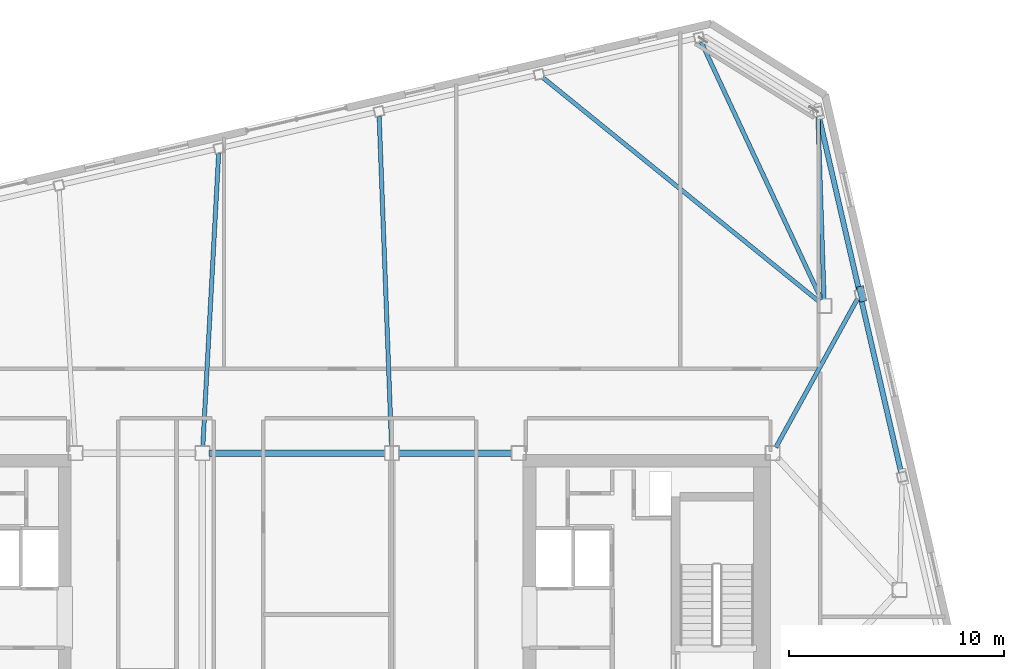
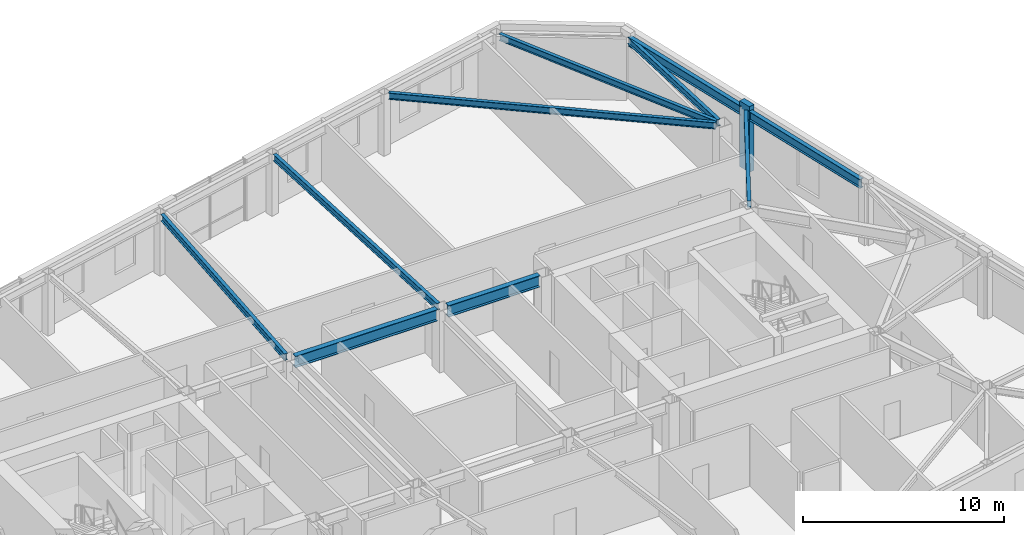
# One storey, part 13 of 23: 10 beams, 1 member.
"""IFC4 building model written with IfcOpenShell, lengths in metres."""

from ifc_helpers import new_model, si_unit, direction, frame, origin, origin_2d, place, context, subcontext, project, spatial, rectangle, i_section, extrude, material, material_profile, profile_set, type_object, element, save


model = new_model("IFC4")

# Units and contexts
model_context = context("Model", 3, precision=1e-05, world=origin(), true_north=direction((0.0, 1.0)))
body_context = subcontext(model_context, "Body", "Model", "MODEL_VIEW")
ifc_project = project(units=[si_unit("LENGTHUNIT", "METRE"), si_unit("AREAUNIT", "SQUARE_METRE"), si_unit("VOLUMEUNIT", "CUBIC_METRE"), si_unit("PLANEANGLEUNIT", "RADIAN"), si_unit("MASSUNIT", "GRAM", prefix="KILO")], contexts=[model_context])

# Site, building, storey
site_placement = place(None, origin())
site = spatial("IfcSite", under=ifc_project, at=site_placement, CompositionType="ELEMENT")
building_placement = place(site_placement, origin())
building = spatial("IfcBuilding", under=site, at=building_placement, Name="Tavrogorsk Clinical Tower", CompositionType="ELEMENT")
storey_placement = place(building_placement, frame((0.0, 0.0, 301.0)))
storey = spatial("IfcBuildingStorey", under=building, at=storey_placement, Name="L70", CompositionType="ELEMENT", Elevation=301.0)

# Beams
ifc_material_1 = material(Name="Structural steel S355", Category="steel")
ifc_material_profile_1 = material_profile(ifc_material_1, i_section(OverallWidth=0.199951171875, OverallDepth=0.39990234375, WebThickness=0.010498046875, FlangeThickness=0.01611328125, at=origin_2d()), Name="B-400x200x10.5x16")
ifc_profile_set_1 = profile_set([ifc_material_profile_1], Name="Structural steel S355")
beam_type_1 = type_object("IfcBeamType", Name="FloorBeam_B400", PredefinedType="BEAM", material=ifc_profile_set_1)
beam_1_placement = place(storey_placement, frame((24.368896484375, 13.48095703125, 3.5400390625), z_axis=(-0.422928957087, 0.906162842571, 0.0), x_axis=(-0.906162842571, -0.422928957087, 0.0)))
element("IfcBeam", 1, at=beam_1_placement, inside=storey, type_object=beam_type_1, Name="L70 Radial Floor Beam N1", PredefinedType="BEAM", context=body_context, shape_type="SweptSolid", body=[
    extrude(i_section(OverallWidth=0.199951171875, OverallDepth=0.39990234375, WebThickness=0.010498046875, FlangeThickness=0.01611328125, at=origin_2d()), origin(), (0.0, 0.0, 1.0), 13.214111328125),
])
beam_2_placement = place(storey_placement, frame((24.25927734375, 13.395263671875, 3.5400390625), z_axis=(-0.77675399059, 0.629804126774, 0.0), x_axis=(-0.629804126774, -0.77675399059, 0.0)))
element("IfcBeam", 2, at=beam_2_placement, inside=storey, type_object=beam_type_1, Name="L70 Radial Floor Beam N2", PredefinedType="BEAM", context=body_context, shape_type="SweptSolid", body=[
    extrude(i_section(OverallWidth=0.199951171875, OverallDepth=0.39990234375, WebThickness=0.010498046875, FlangeThickness=0.01611328125, at=origin_2d()), origin(), (0.0, 0.0, 1.0), 16.524169921875),
])
beam_3_placement = place(storey_placement, frame((4.388427734375, 6.65966796875, 3.5400390625), z_axis=(-0.037472270853, 0.999297667823, 0.0), x_axis=(-0.999297667823, -0.037472270853, 0.0)))
element("IfcBeam", 3, at=beam_3_placement, inside=storey, type_object=beam_type_1, Name="L70 Radial Floor Beam N3", PredefinedType="BEAM", context=body_context, shape_type="SweptSolid", body=[
    extrude(i_section(OverallWidth=0.199951171875, OverallDepth=0.39990234375, WebThickness=0.010498046875, FlangeThickness=0.01611328125, at=origin_2d()), origin(), (0.0, 0.0, 1.0), 15.349853515625),
])
beam_4_placement = place(storey_placement, frame((-4.38330078125, 6.65966796875, 3.5400390625), z_axis=(0.053993102157, 0.998541308569, 0.0), x_axis=(-0.998541308569, 0.053993102157, 0.0)))
element("IfcBeam", 4, at=beam_4_placement, inside=storey, type_object=beam_type_1, Name="L70 Radial Floor Beam N4", PredefinedType="BEAM", context=body_context, shape_type="SweptSolid", body=[
    extrude(i_section(OverallWidth=0.199951171875, OverallDepth=0.39990234375, WebThickness=0.010498046875, FlangeThickness=0.01611328125, at=origin_2d()), origin(), (0.0, 0.0, 1.0), 13.64208984375),
])
beam_5_placement = place(storey_placement, frame((22.249267578125, 6.62158203125, 3.5400390625), z_axis=(0.481705874182, 0.876332956574, 0.0), x_axis=(-0.876332956574, 0.481705874182, 0.0)))
element("IfcBeam", 5, at=beam_5_placement, inside=storey, type_object=beam_type_1, Name="L70 Radial Floor Beam E4", PredefinedType="BEAM", context=body_context, shape_type="SweptSolid", body=[
    extrude(i_section(OverallWidth=0.199951171875, OverallDepth=0.39990234375, WebThickness=0.010498046875, FlangeThickness=0.01611328125, at=origin_2d()), origin(), (0.0, 0.0, 1.0), 7.881103515625),
])
beam_6_placement = place(storey_placement, frame((24.48974609375, 13.509765625, 3.5400390625), z_axis=(-0.033421222185, 0.999441354912, 0.0), x_axis=(-0.999441354912, -0.033421222185, 0.0)))
element("IfcBeam", 6, at=beam_6_placement, inside=storey, type_object=beam_type_1, Name="L70 Radial Floor Beam E5", PredefinedType="BEAM", context=body_context, shape_type="SweptSolid", body=[
    extrude(i_section(OverallWidth=0.199951171875, OverallDepth=0.39990234375, WebThickness=0.010498046875, FlangeThickness=0.01611328125, at=origin_2d()), origin(), (0.0, 0.0, 1.0), 8.48095703125),
])

# Member
ifc_material_2 = material(Name="Precast concrete B45 with limestone cladding", Category="masonry")
ifc_material_profile_2 = material_profile(ifc_material_2, rectangle(XDim=0.320068359375, YDim=0.719970703125, at=origin_2d()), Name="LIMESTONE-FIN-320x720")
ifc_profile_set_2 = profile_set([ifc_material_profile_2], Name="Precast concrete B45 with limestone cladding")
member_type = type_object("IfcMemberType", Name="LimestonePleatFin_320x720", PredefinedType="USERDEFINED", material=ifc_profile_set_2)
member_placement = place(storey_placement, frame((26.23583984375, 13.750244140625, 0.0), z_axis=(0.0, 0.0, 1.0), x_axis=(0.974370064785, 0.224951054344, 0.0)))
element("IfcMember", 7, at=member_placement, inside=storey, type_object=member_type, Name="L70 E Pleated Stone Fin 3", ObjectType="FIN", PredefinedType="USERDEFINED", context=body_context, shape_type="SweptSolid", body=[
    extrude(rectangle(XDim=0.320068359375, YDim=0.719970703125, at=origin_2d()), origin(), (0.0, 0.0, 1.0), 4.0),
])

# Beams
ifc_material_3 = material(Name="Structural steel S390", Category="steel")
ifc_material_profile_3 = material_profile(ifc_material_3, i_section(OverallWidth=0.300048828125, OverallDepth=0.699951171875, WebThickness=0.01708984375, FlangeThickness=0.028076171875, at=origin_2d()), Name="B-700x300x17x28")
ifc_profile_set_3 = profile_set([ifc_material_profile_3], Name="Structural steel S390")
beam_type_2 = type_object("IfcBeamType", Name="PrimaryGirder_B700", PredefinedType="USERDEFINED", material=ifc_profile_set_3)
beam_7_placement = place(storey_placement, frame((-4.090087890625, 6.35009765625, 3.389892578125), z_axis=(1.0, 0.0, 0.0), x_axis=(0.0, 1.0, 0.0)))
element("IfcBeam", 8, at=beam_7_placement, inside=storey, type_object=beam_type_2, Name="L70 Primary Spine Girder MG-04", ObjectType="GIRDER", PredefinedType="USERDEFINED", context=body_context, shape_type="SweptSolid", body=[
    extrude(i_section(OverallWidth=0.300048828125, OverallDepth=0.699951171875, WebThickness=0.01708984375, FlangeThickness=0.028076171875, at=origin_2d()), origin(), (0.0, 0.0, 1.0), 8.18017578125),
])
beam_8_placement = place(storey_placement, frame((4.7099609375, 6.35009765625, 3.389892578125), z_axis=(1.0, 0.0, 0.0), x_axis=(0.0, 1.0, 0.0)))
element("IfcBeam", 9, at=beam_8_placement, inside=storey, type_object=beam_type_2, Name="L70 Primary Spine Girder MG-06", ObjectType="GIRDER", PredefinedType="USERDEFINED", context=body_context, shape_type="SweptSolid", body=[
    extrude(i_section(OverallWidth=0.300048828125, OverallDepth=0.699951171875, WebThickness=0.01708984375, FlangeThickness=0.028076171875, at=origin_2d()), origin(), (0.0, 0.0, 1.0), 5.280029296875),
])
ifc_material_4 = material(Name="Structural steel S390", Category="steel")
ifc_material_profile_4 = material_profile(ifc_material_4, i_section(OverallWidth=0.239990234375, OverallDepth=0.550048828125, WebThickness=0.013916015625, FlangeThickness=0.02197265625, at=origin_2d()), Name="B-550x240x14x22")
ifc_profile_set_4 = profile_set([ifc_material_profile_4], Name="Structural steel S390")
beam_type_3 = type_object("IfcBeamType", Name="SpandrelBeam_B550", PredefinedType="SPANDREL", material=ifc_profile_set_4)
beam_9_placement = place(storey_placement, frame((28.06494140625, 5.472412109375, 3.465087890625), z_axis=(-0.224978460613, 0.974363737144, 0.0), x_axis=(-0.974363737144, -0.224978460613, 0.0)))
element("IfcBeam", 10, at=beam_9_placement, inside=storey, type_object=beam_type_3, Name="L70 Perimeter Spandrel E3-E4", PredefinedType="SPANDREL", context=body_context, shape_type="SweptSolid", body=[
    extrude(i_section(OverallWidth=0.239990234375, OverallDepth=0.550048828125, WebThickness=0.013916015625, FlangeThickness=0.02197265625, at=origin_2d()), origin(), (0.0, 0.0, 1.0), 8.244140625),
])
beam_10_placement = place(storey_placement, frame((26.10546875, 13.959228515625, 3.465087890625), z_axis=(-0.224950345141, 0.974370228517, 0.0), x_axis=(-0.974370228517, -0.224950345141, 0.0)))
element("IfcBeam", 11, at=beam_10_placement, inside=storey, type_object=beam_type_3, Name="L70 Perimeter Spandrel E4-E5", PredefinedType="SPANDREL", context=body_context, shape_type="SweptSolid", body=[
    extrude(i_section(OverallWidth=0.239990234375, OverallDepth=0.550048828125, WebThickness=0.013916015625, FlangeThickness=0.02197265625, at=origin_2d()), origin(), (0.0, 0.0, 1.0), 8.243896484375),
])

save(model, "model.ifc")
